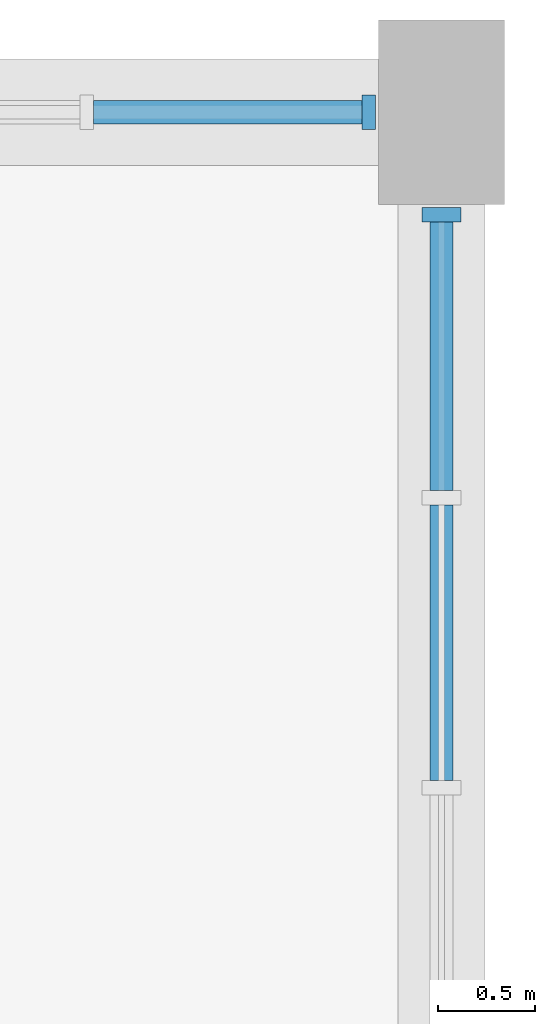
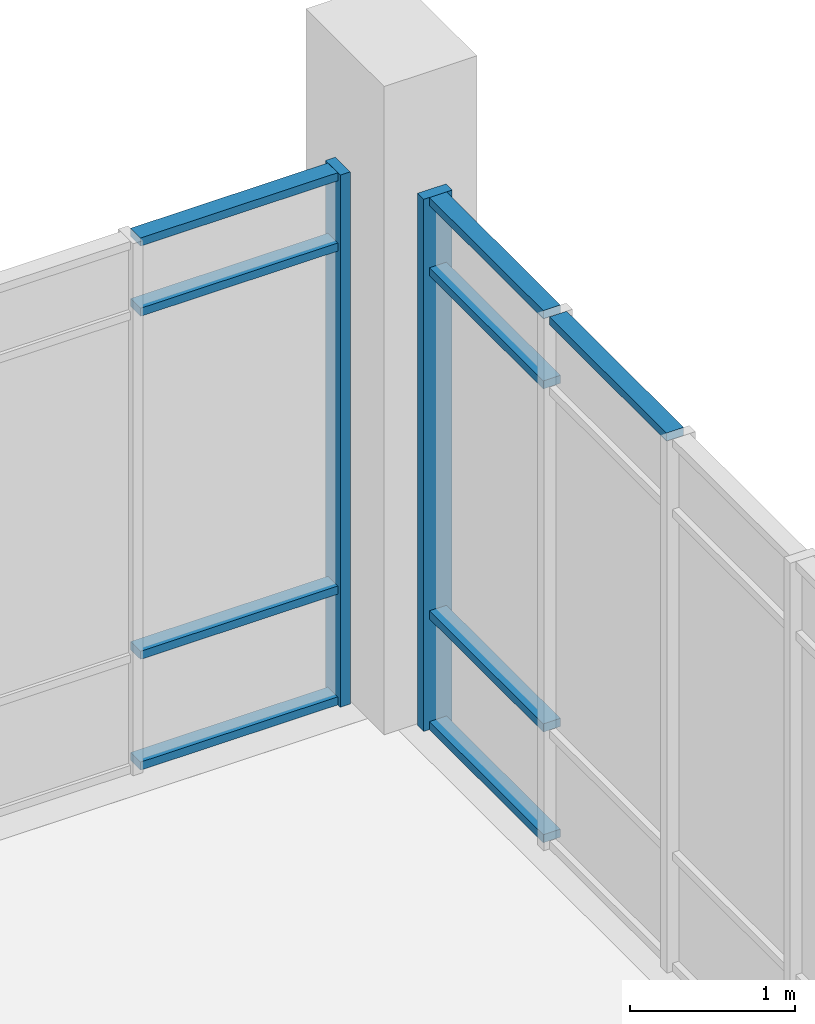
# One storey, part 81 of 152: 11 members, 2 elements without a shape of their own.
"""IFC4 building model written with IfcOpenShell, lengths in metres."""

from ifc_helpers import new_model, si_unit, direction, frame, origin, origin_2d, place, context, subcontext, project, spatial, rectangle, extrude, material, material_profile, profile_set, type_object, element, aggregate, save


model = new_model("IFC4")

# Units and contexts
model_context = context("Model", 3, precision=1e-05, world=origin(), true_north=direction((0.0, 1.0)))
body_context = subcontext(model_context, "Body", "Model", "MODEL_VIEW")
ifc_project = project(units=[si_unit("LENGTHUNIT", "METRE"), si_unit("AREAUNIT", "SQUARE_METRE"), si_unit("VOLUMEUNIT", "CUBIC_METRE"), si_unit("PLANEANGLEUNIT", "RADIAN"), si_unit("MASSUNIT", "GRAM", prefix="KILO")], contexts=[model_context])

# Site, building, storey
site_placement = place(None, origin())
site = spatial("IfcSite", under=ifc_project, at=site_placement, CompositionType="ELEMENT")
building_placement = place(site_placement, origin())
building = spatial("IfcBuilding", under=site, at=building_placement, Name="Oolite Switchyard Hospital", CompositionType="ELEMENT")
storey_placement = place(building_placement, frame((0.0, 0.0, 5.10009765625)))
storey = spatial("IfcBuildingStorey", under=building, at=storey_placement, Name="L01", CompositionType="ELEMENT", Elevation=5.10009765625)

# Curtain wall, member
ifc_material_1 = material(Name="Thermally broken aluminum frame with laminated impact glazing", Category="aluminium")
curtain_wall_type_1 = type_object("IfcCurtainWallType", Name="CW-UNIT-96X48", PredefinedType="USERDEFINED", material=ifc_material_1)
curtain_wall_1_placement = place(storey_placement, origin())
curtain_wall_1 = element("IfcCurtainWall", 1, at=curtain_wall_1_placement, inside=storey, type_object=curtain_wall_type_1, Name="L01 Unitised Curtain Wall 156", ObjectType="UNITISED", PredefinedType="USERDEFINED")
ifc_material_2 = material(Name="Aluminium 6063-T6", Category="aluminium")
ifc_material_profile_1 = material_profile(ifc_material_2, rectangle(XDim=0.179931640625, YDim=0.070068359375, at=origin_2d()), Name="CWM70X180")
ifc_profile_set_1 = profile_set([ifc_material_profile_1], Name="Aluminium 6063-T6")
member_type_1 = type_object("IfcMemberType", Name="CW-MUL-220", PredefinedType="MULLION", material=ifc_profile_set_1)
member_1_placement = place(storey_placement, frame((76.425048828125, 134.39990234375, 0.0), z_axis=(0.0, 0.0, 1.0), x_axis=(0.0, 1.0, 0.0)))
member_1 = element("IfcMember", 2, at=member_1_placement, type_object=member_type_1, Name="CW-02 mullion 7", PredefinedType="MULLION", context=body_context, shape_type="SweptSolid", body=[
    extrude(rectangle(XDim=0.179931640625, YDim=0.070068359375, at=origin_2d()), origin(), (0.0, 0.0, 1.0), 3.93994140625),
])

curtain_wall_type_2 = type_object("IfcCurtainWallType", Name="CW-UNIT-84X48", PredefinedType="USERDEFINED", material=ifc_material_1)
curtain_wall_2_placement = place(storey_placement, origin())
curtain_wall_2 = element("IfcCurtainWall", 3, at=curtain_wall_2_placement, inside=storey, type_object=curtain_wall_type_2, Name="L01 Unitised Curtain Wall 178", ObjectType="UNITISED", PredefinedType="USERDEFINED")
ifc_material_profile_2 = material_profile(ifc_material_2, rectangle(XDim=0.199951171875, YDim=0.074951171875, at=origin_2d()), Name="CWM75X200")
ifc_profile_set_2 = profile_set([ifc_material_profile_2], Name="Aluminium 6063-T6")
member_type_2 = type_object("IfcMemberType", Name="CW-MUL-260", PredefinedType="MULLION", material=ifc_profile_set_2)
member_2_placement = place(storey_placement, frame((76.800048828125, 133.87255859375, 0.0), z_axis=(0.0, 0.0, 1.0), x_axis=(1.0, 0.0, 0.0)))
member_2 = element("IfcMember", 4, at=member_2_placement, type_object=member_type_2, Name="CW-07 mullion 1", PredefinedType="MULLION", context=body_context, shape_type="SweptSolid", body=[
    extrude(rectangle(XDim=0.199951171875, YDim=0.074951171875, at=origin_2d()), origin(), (0.0, 0.0, 1.0), 3.93994140625),
])

# Member
ifc_material_profile_3 = material_profile(ifc_material_2, rectangle(XDim=0.1201171875, YDim=0.06005859375, at=origin_2d()), Name="CWT60X120")
ifc_profile_set_3 = profile_set([ifc_material_profile_3], Name="Aluminium 6063-T6")
member_type_3 = type_object("IfcMemberType", Name="CW-TRN-150", PredefinedType="USERDEFINED", material=ifc_profile_set_3)
member_3_placement = place(storey_placement, frame((75.00830078125, 134.39990234375, 0.02978515625), z_axis=(1.0, 0.0, 0.0), x_axis=(0.0, 1.0, 0.0)))
member_3 = element("IfcMember", 5, at=member_3_placement, type_object=member_type_3, Name="CW-02 transom 6.1", ObjectType="TRANSOM", PredefinedType="USERDEFINED", context=body_context, shape_type="SweptSolid", body=[
    extrude(rectangle(XDim=0.1201171875, YDim=0.06005859375, at=origin_2d()), origin(), (0.0, 0.0, 1.0), 1.381591796875),
])

member_4_placement = place(storey_placement, frame((75.00830078125, 134.39990234375, 0.849853515625), z_axis=(1.0, 0.0, 0.0), x_axis=(0.0, 1.0, 0.0)))
member_4 = element("IfcMember", 6, at=member_4_placement, type_object=member_type_3, Name="CW-02 transom 6.2", ObjectType="TRANSOM", PredefinedType="USERDEFINED", context=body_context, shape_type="SweptSolid", body=[
    extrude(rectangle(XDim=0.1201171875, YDim=0.06005859375, at=origin_2d()), origin(), (0.0, 0.0, 1.0), 1.381591796875),
])

member_5_placement = place(storey_placement, frame((75.00830078125, 134.39990234375, 3.389892578125), z_axis=(1.0, 0.0, 0.0), x_axis=(0.0, 1.0, 0.0)))
member_5 = element("IfcMember", 7, at=member_5_placement, type_object=member_type_3, Name="CW-02 transom 6.3", ObjectType="TRANSOM", PredefinedType="USERDEFINED", context=body_context, shape_type="SweptSolid", body=[
    extrude(rectangle(XDim=0.1201171875, YDim=0.06005859375, at=origin_2d()), origin(), (0.0, 0.0, 1.0), 1.381591796875),
])

member_6_placement = place(storey_placement, frame((75.00830078125, 134.39990234375, 3.909912109375), z_axis=(1.0, 0.0, 0.0), x_axis=(0.0, 1.0, 0.0)))
member_6 = element("IfcMember", 8, at=member_6_placement, type_object=member_type_3, Name="CW-02 transom 6.4", ObjectType="TRANSOM", PredefinedType="USERDEFINED", context=body_context, shape_type="SweptSolid", body=[
    extrude(rectangle(XDim=0.1201171875, YDim=0.06005859375, at=origin_2d()), origin(), (0.0, 0.0, 1.0), 1.381591796875),
])

aggregate(curtain_wall_1, [member_1, member_3, member_4, member_5, member_6])

member_7_placement = place(storey_placement, frame((76.800048828125, 133.8349609375, 0.02978515625), z_axis=(0.0, -1.0, 0.0), x_axis=(1.0, 0.0, 0.0)))
member_7 = element("IfcMember", 9, at=member_7_placement, type_object=member_type_3, Name="CW-07 transom 1.1", ObjectType="TRANSOM", PredefinedType="USERDEFINED", context=body_context, shape_type="SweptSolid", body=[
    extrude(rectangle(XDim=0.1201171875, YDim=0.06005859375, at=origin_2d()), origin(), (0.0, 0.0, 1.0), 1.38134765625),
])

member_8_placement = place(storey_placement, frame((76.800048828125, 133.8349609375, 0.849853515625), z_axis=(0.0, -1.0, 0.0), x_axis=(1.0, 0.0, 0.0)))
member_8 = element("IfcMember", 10, at=member_8_placement, type_object=member_type_3, Name="CW-07 transom 1.2", ObjectType="TRANSOM", PredefinedType="USERDEFINED", context=body_context, shape_type="SweptSolid", body=[
    extrude(rectangle(XDim=0.1201171875, YDim=0.06005859375, at=origin_2d()), origin(), (0.0, 0.0, 1.0), 1.38134765625),
])

member_9_placement = place(storey_placement, frame((76.800048828125, 133.8349609375, 3.389892578125), z_axis=(0.0, -1.0, 0.0), x_axis=(1.0, 0.0, 0.0)))
member_9 = element("IfcMember", 11, at=member_9_placement, type_object=member_type_3, Name="CW-07 transom 1.3", ObjectType="TRANSOM", PredefinedType="USERDEFINED", context=body_context, shape_type="SweptSolid", body=[
    extrude(rectangle(XDim=0.1201171875, YDim=0.06005859375, at=origin_2d()), origin(), (0.0, 0.0, 1.0), 1.38134765625),
])

member_10_placement = place(storey_placement, frame((76.800048828125, 133.8349609375, 3.909912109375), z_axis=(0.0, -1.0, 0.0), x_axis=(1.0, 0.0, 0.0)))
member_10 = element("IfcMember", 12, at=member_10_placement, type_object=member_type_3, Name="CW-07 transom 1.4", ObjectType="TRANSOM", PredefinedType="USERDEFINED", context=body_context, shape_type="SweptSolid", body=[
    extrude(rectangle(XDim=0.1201171875, YDim=0.06005859375, at=origin_2d()), origin(), (0.0, 0.0, 1.0), 1.38134765625),
])

member_11_placement = place(storey_placement, frame((76.800048828125, 132.37841796875, 3.909912109375), z_axis=(0.0, -1.0, 0.0), x_axis=(1.0, 0.0, 0.0)))
member_11 = element("IfcMember", 13, at=member_11_placement, type_object=member_type_3, Name="CW-07 transom 2.4", ObjectType="TRANSOM", PredefinedType="USERDEFINED", context=body_context, shape_type="SweptSolid", body=[
    extrude(rectangle(XDim=0.1201171875, YDim=0.06005859375, at=origin_2d()), origin(), (0.0, 0.0, 1.0), 1.4189453125),
])

aggregate(curtain_wall_2, [member_2, member_7, member_8, member_9, member_10, member_11])

save(model, "model.ifc")
